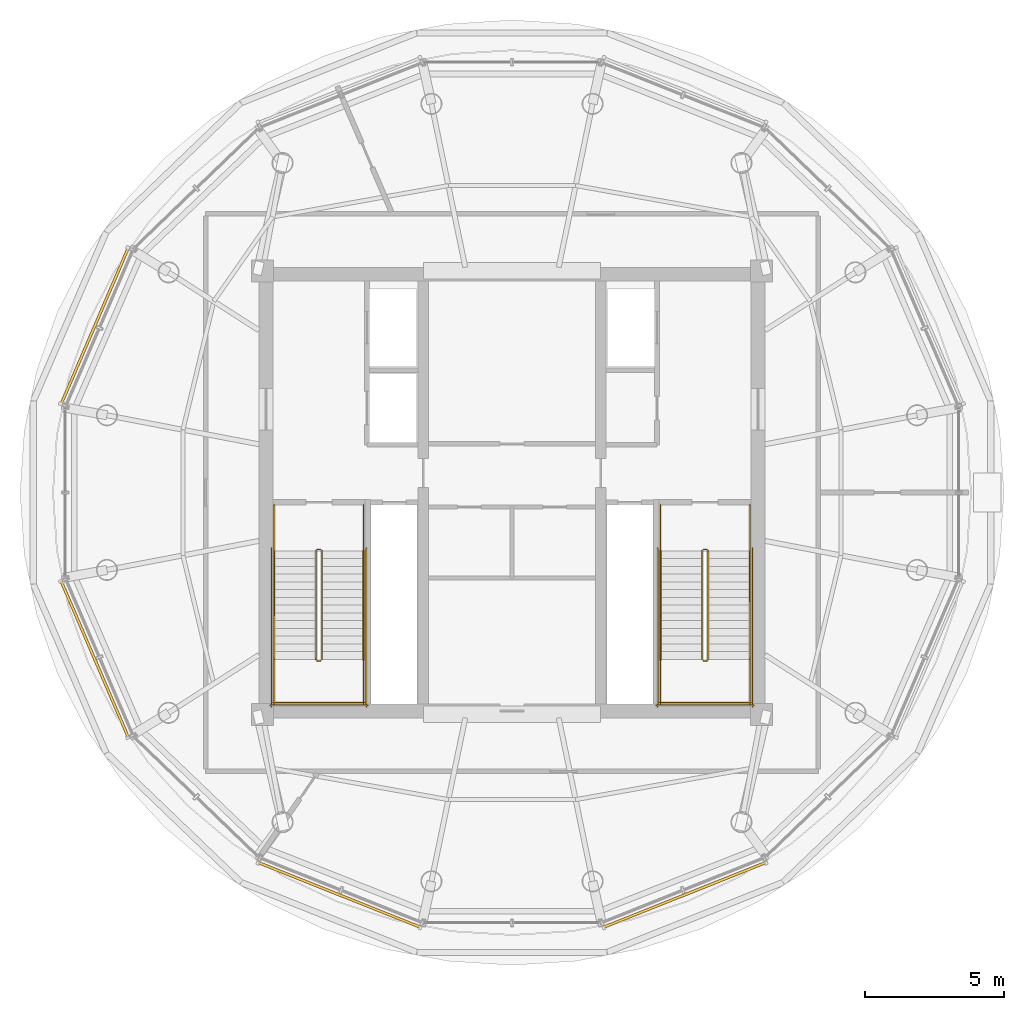
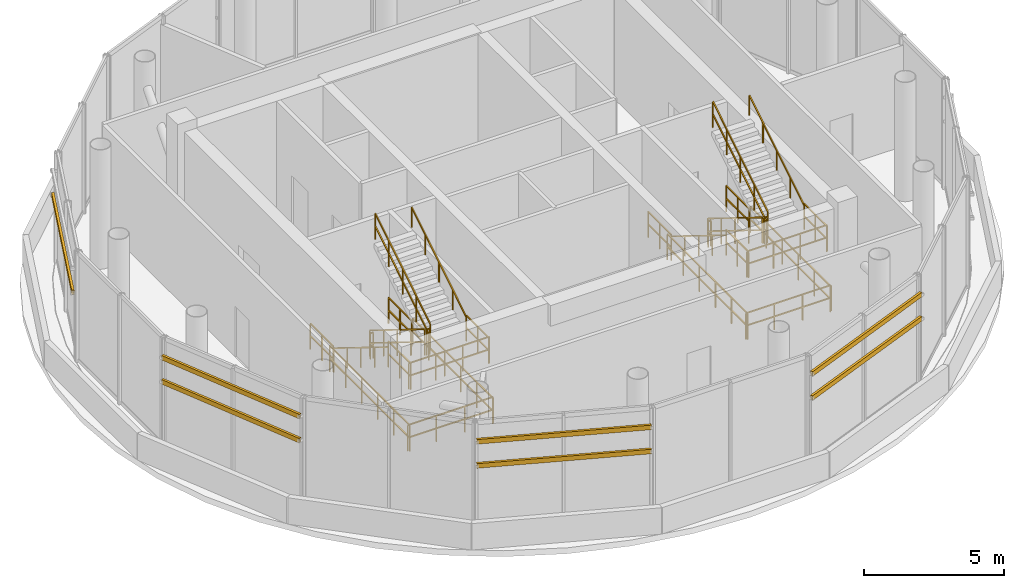
# One storey, part 13 of 14: 28 railings, 7 shading devices.
"""IFC4 building model written with IfcOpenShell, lengths in metres."""

from ifc_helpers import new_model, si_unit, direction, frame, origin, origin_2d, place, context, subcontext, project, spatial, rectangle, hollow_rectangle, extrude, source, transform, mapped, material, material_profile, profile_set, type_object, element, save


model = new_model("IFC4")

# Units and contexts
model_context = context("Model", 3, precision=1e-05, world=origin(), true_north=direction((-0.2419218956, 0.970295726276)))
body_context = subcontext(model_context, "Body", "Model", "MODEL_VIEW")
ifc_project = project(units=[si_unit("LENGTHUNIT", "METRE"), si_unit("AREAUNIT", "SQUARE_METRE"), si_unit("VOLUMEUNIT", "CUBIC_METRE"), si_unit("PLANEANGLEUNIT", "RADIAN"), si_unit("MASSUNIT", "GRAM", prefix="KILO")], contexts=[model_context])

# Site, building, storey
site_placement = place(None, origin())
site = spatial("IfcSite", under=ifc_project, at=site_placement, CompositionType="ELEMENT")
building_placement = place(site_placement, origin())
building = spatial("IfcBuilding", under=site, at=building_placement, Name="Cobrevalo Terracotta Tower", CompositionType="ELEMENT")
storey_placement = place(building_placement, frame((0.0, 0.0, 321.699951171875)))
storey = spatial("IfcBuildingStorey", under=building, at=storey_placement, Name="L83", CompositionType="ELEMENT", Elevation=321.699951171875)

# Railings
ifc_material_1 = material(Name="Brushed stainless steel", Category="steel")
railing_type_1 = type_object("IfcRailingType", Name="Stainless Steel Stair Handrail 900", PredefinedType="HANDRAIL", material=ifc_material_1)
railing_1_placement = place(storey_placement, frame((29.425048828125, 24.699951171875, 0.17333984375)))
element("IfcRailing", 1, at=railing_1_placement, inside=storey, type_object=railing_type_1, Name="L83 ST-1 stair handrail 1", PredefinedType="HANDRAIL", context=body_context, shape_type="SweptSolid", body=[
    extrude(rectangle(XDim=0.048095703125, YDim=0.048095703125, at=origin_2d()), frame((0.0, 0.0, 0.8759765625), z_axis=(0.0, -0.850251603719, 0.526376491091), x_axis=(1.0, 0.0, 0.0)), (0.0, 0.0, 1.0), 4.6103515625),
    extrude(rectangle(XDim=0.0419921875, YDim=0.0419921875, at=origin_2d()), origin(), (0.0, 0.0, 1.0), 0.851806640625),
    extrude(rectangle(XDim=0.0419921875, YDim=0.0419921875, at=origin_2d()), frame((0.0, -0.97998046875, 0.606689453125)), (0.0, 0.0, 1.0), 0.851806640625),
    extrude(rectangle(XDim=0.0419921875, YDim=0.0419921875, at=origin_2d()), frame((0.0, -1.9599609375, 1.21337890625)), (0.0, 0.0, 1.0), 0.851806640625),
    extrude(rectangle(XDim=0.0419921875, YDim=0.0419921875, at=origin_2d()), frame((0.0, -2.93994140625, 1.820068359375)), (0.0, 0.0, 1.0), 0.851806640625),
    extrude(rectangle(XDim=0.0419921875, YDim=0.0419921875, at=origin_2d()), frame((0.0, -3.919921875, 2.4267578125)), (0.0, 0.0, 1.0), 0.851806640625),
])
railing_2_placement = place(storey_placement, frame((32.64501953125, 20.780029296875, 2.7734375)))
element("IfcRailing", 2, at=railing_2_placement, inside=storey, type_object=railing_type_1, Name="L83 ST-1 stair handrail 2", PredefinedType="HANDRAIL", context=body_context, shape_type="SweptSolid", body=[
    extrude(rectangle(XDim=0.048095703125, YDim=0.048095703125, at=origin_2d()), frame((0.0, 0.0, 0.8759765625), z_axis=(0.0, 0.850275303828, 0.526338206574), x_axis=(-1.0, 0.0, 0.0)), (0.0, 0.0, 1.0), 4.610107421875),
    extrude(rectangle(XDim=0.0419921875, YDim=0.0419921875, at=origin_2d()), origin(), (0.0, 0.0, 1.0), 0.851806640625),
    extrude(rectangle(XDim=0.0419921875, YDim=0.0419921875, at=origin_2d()), frame((0.0, 0.97998046875, 0.606689453125)), (0.0, 0.0, 1.0), 0.851806640625),
    extrude(rectangle(XDim=0.0419921875, YDim=0.0419921875, at=origin_2d()), frame((0.0, 1.9599609375, 1.21337890625)), (0.0, 0.0, 1.0), 0.851806640625),
    extrude(rectangle(XDim=0.0419921875, YDim=0.0419921875, at=origin_2d()), frame((0.0, 2.93994140625, 1.81982421875)), (0.0, 0.0, 1.0), 0.851806640625),
    extrude(rectangle(XDim=0.0419921875, YDim=0.0419921875, at=origin_2d()), frame((0.0, 3.919921875, 2.426513671875)), (0.0, 0.0, 1.0), 0.851806640625),
])
railing_3_placement = place(storey_placement, frame((43.35498046875, 24.699951171875, 0.17333984375)))
element("IfcRailing", 3, at=railing_3_placement, inside=storey, type_object=railing_type_1, Name="L83 ST-2 stair handrail 1", PredefinedType="HANDRAIL", context=body_context, shape_type="SweptSolid", body=[
    extrude(rectangle(XDim=0.048095703125, YDim=0.048095703125, at=origin_2d()), frame((0.0, 0.0, 0.8759765625), z_axis=(0.0, -0.850251603719, 0.526376491091), x_axis=(1.0, 0.0, 0.0)), (0.0, 0.0, 1.0), 4.6103515625),
    extrude(rectangle(XDim=0.0419921875, YDim=0.0419921875, at=origin_2d()), origin(), (0.0, 0.0, 1.0), 0.851806640625),
    extrude(rectangle(XDim=0.0419921875, YDim=0.0419921875, at=origin_2d()), frame((0.0, -0.97998046875, 0.606689453125)), (0.0, 0.0, 1.0), 0.851806640625),
    extrude(rectangle(XDim=0.0419921875, YDim=0.0419921875, at=origin_2d()), frame((0.0, -1.9599609375, 1.21337890625)), (0.0, 0.0, 1.0), 0.851806640625),
    extrude(rectangle(XDim=0.0419921875, YDim=0.0419921875, at=origin_2d()), frame((0.0, -2.93994140625, 1.820068359375)), (0.0, 0.0, 1.0), 0.851806640625),
    extrude(rectangle(XDim=0.0419921875, YDim=0.0419921875, at=origin_2d()), frame((0.0, -3.919921875, 2.4267578125)), (0.0, 0.0, 1.0), 0.851806640625),
])
railing_4_placement = place(storey_placement, frame((46.574951171875, 20.780029296875, 2.7734375)))
element("IfcRailing", 4, at=railing_4_placement, inside=storey, type_object=railing_type_1, Name="L83 ST-2 stair handrail 2", PredefinedType="HANDRAIL", context=body_context, shape_type="SweptSolid", body=[
    extrude(rectangle(XDim=0.048095703125, YDim=0.048095703125, at=origin_2d()), frame((0.0, 0.0, 0.8759765625), z_axis=(0.0, 0.850275303828, 0.526338206574), x_axis=(-1.0, 0.0, 0.0)), (0.0, 0.0, 1.0), 4.610107421875),
    extrude(rectangle(XDim=0.0419921875, YDim=0.0419921875, at=origin_2d()), origin(), (0.0, 0.0, 1.0), 0.851806640625),
    extrude(rectangle(XDim=0.0419921875, YDim=0.0419921875, at=origin_2d()), frame((0.0, 0.97998046875, 0.606689453125)), (0.0, 0.0, 1.0), 0.851806640625),
    extrude(rectangle(XDim=0.0419921875, YDim=0.0419921875, at=origin_2d()), frame((0.0, 1.9599609375, 1.21337890625)), (0.0, 0.0, 1.0), 0.851806640625),
    extrude(rectangle(XDim=0.0419921875, YDim=0.0419921875, at=origin_2d()), frame((0.0, 2.93994140625, 1.81982421875)), (0.0, 0.0, 1.0), 0.851806640625),
    extrude(rectangle(XDim=0.0419921875, YDim=0.0419921875, at=origin_2d()), frame((0.0, 3.919921875, 2.426513671875)), (0.0, 0.0, 1.0), 0.851806640625),
])
ifc_material_2 = material(Name="Painted galvanized steel", Category="steel")
railing_type_2 = type_object("IfcRailingType", Name="Stair Well Guard Balustrade 1150", PredefinedType="GUARDRAIL", material=ifc_material_2)
railing_5_placement = place(storey_placement, frame((30.925048828125, 24.699951171875, 0.17333984375)))
element("IfcRailing", 5, at=railing_5_placement, inside=storey, type_object=railing_type_2, Name="L83 ST-1 stair guard 1", PredefinedType="GUARDRAIL", context=body_context, shape_type="SweptSolid", body=[
    extrude(rectangle(XDim=0.048095703125, YDim=0.048095703125, at=origin_2d()), frame((0.0, 0.0, 1.1259765625), z_axis=(0.0, -0.850251603719, 0.526376491091), x_axis=(1.0, 0.0, 0.0)), (0.0, 0.0, 1.0), 4.6103515625),
    extrude(rectangle(XDim=0.048095703125, YDim=0.048095703125, at=origin_2d()), frame((0.0, 0.0, 0.574951171875), z_axis=(0.0, -0.850251603719, 0.526376491091), x_axis=(1.0, 0.0, 0.0)), (0.0, 0.0, 1.0), 4.6103515625),
    extrude(rectangle(XDim=0.0419921875, YDim=0.0419921875, at=origin_2d()), origin(), (0.0, 0.0, 1.0), 1.101806640625),
    extrude(rectangle(XDim=0.0419921875, YDim=0.0419921875, at=origin_2d()), frame((0.0, -0.97998046875, 0.606689453125)), (0.0, 0.0, 1.0), 1.101806640625),
    extrude(rectangle(XDim=0.0419921875, YDim=0.0419921875, at=origin_2d()), frame((0.0, -1.9599609375, 1.21337890625)), (0.0, 0.0, 1.0), 1.101806640625),
    extrude(rectangle(XDim=0.0419921875, YDim=0.0419921875, at=origin_2d()), frame((0.0, -2.93994140625, 1.820068359375)), (0.0, 0.0, 1.0), 1.101806640625),
    extrude(rectangle(XDim=0.0419921875, YDim=0.0419921875, at=origin_2d()), frame((0.0, -3.919921875, 2.4267578125)), (0.0, 0.0, 1.0), 1.101806640625),
])
railing_6_placement = place(storey_placement, frame((30.97509765625, 20.72998046875, 2.60009765625)))
element("IfcRailing", 6, at=railing_6_placement, inside=storey, type_object=railing_type_2, Name="L83 ST-1 stair guard 2", PredefinedType="GUARDRAIL", context=body_context, shape_type="SweptSolid", body=[
    extrude(rectangle(XDim=0.048095703125, YDim=0.048095703125, at=origin_2d()), frame((0.0, 0.0, 1.1259765625), z_axis=(1.0, 0.0, 0.0), x_axis=(0.0, 1.0, 0.0)), (0.0, 0.0, 1.0), 0.119873046875),
    extrude(rectangle(XDim=0.048095703125, YDim=0.048095703125, at=origin_2d()), frame((0.0, 0.0, 0.574951171875), z_axis=(1.0, 0.0, 0.0), x_axis=(0.0, 1.0, 0.0)), (0.0, 0.0, 1.0), 0.119873046875),
    extrude(rectangle(XDim=0.0419921875, YDim=0.0419921875, at=origin_2d()), origin(), (0.0, 0.0, 1.0), 1.101806640625),
    extrude(rectangle(XDim=0.0419921875, YDim=0.0419921875, at=origin_2d()), frame((0.119873046875, 0.0, 0.0)), (0.0, 0.0, 1.0), 1.101806640625),
])
for number, where, name in (
    (7, (29.425048828125, 20.780029296875, 2.60009765625), "L83 ST-1 stair guard 3"),
    (8, (32.64501953125, 20.780029296875, 2.60009765625), "L83 ST-1 stair guard 4"),
):
    element("IfcRailing", number, at=place(storey_placement, frame(where)), inside=storey, type_object=railing_type_2, Name=name, PredefinedType="GUARDRAIL", context=body_context, shape_type="SweptSolid", body=[
        extrude(rectangle(XDim=0.048095703125, YDim=0.048095703125, at=origin_2d()), frame((0.0, 0.0, 1.1259765625), z_axis=(0.0, -1.0, 0.0), x_axis=(1.0, 0.0, 0.0)), (0.0, 0.0, 1.0), 1.60498046875),
        extrude(rectangle(XDim=0.048095703125, YDim=0.048095703125, at=origin_2d()), frame((0.0, 0.0, 0.574951171875), z_axis=(0.0, -1.0, 0.0), x_axis=(1.0, 0.0, 0.0)), (0.0, 0.0, 1.0), 1.60498046875),
        extrude(rectangle(XDim=0.0419921875, YDim=0.0419921875, at=origin_2d()), origin(), (0.0, 0.0, 1.0), 1.101806640625),
        extrude(rectangle(XDim=0.0419921875, YDim=0.0419921875, at=origin_2d()), frame((0.0, -0.802490234375, 0.0)), (0.0, 0.0, 1.0), 1.101806640625),
        extrude(rectangle(XDim=0.0419921875, YDim=0.0419921875, at=origin_2d()), frame((0.0, -1.60498046875, 0.0)), (0.0, 0.0, 1.0), 1.101806640625),
    ])
railing_7_placement = place(storey_placement, frame((29.375, 19.22509765625, 2.60009765625)))
element("IfcRailing", 9, at=railing_7_placement, inside=storey, type_object=railing_type_2, Name="L83 ST-1 stair guard 5", PredefinedType="GUARDRAIL", context=body_context, shape_type="SweptSolid", body=[
    extrude(rectangle(XDim=0.048095703125, YDim=0.048095703125, at=origin_2d()), frame((0.0, 0.0, 1.1259765625), z_axis=(1.0, 0.0, 0.0), x_axis=(0.0, 1.0, 0.0)), (0.0, 0.0, 1.0), 3.320068359375),
    extrude(rectangle(XDim=0.048095703125, YDim=0.048095703125, at=origin_2d()), frame((0.0, 0.0, 0.574951171875), z_axis=(1.0, 0.0, 0.0), x_axis=(0.0, 1.0, 0.0)), (0.0, 0.0, 1.0), 3.320068359375),
    extrude(rectangle(XDim=0.0419921875, YDim=0.0419921875, at=origin_2d()), origin(), (0.0, 0.0, 1.0), 1.101806640625),
    extrude(rectangle(XDim=0.0419921875, YDim=0.0419921875, at=origin_2d()), frame((1.106689453125, 0.0, 0.0)), (0.0, 0.0, 1.0), 1.101806640625),
    extrude(rectangle(XDim=0.0419921875, YDim=0.0419921875, at=origin_2d()), frame((2.21337890625, 0.0, 0.0)), (0.0, 0.0, 1.0), 1.101806640625),
    extrude(rectangle(XDim=0.0419921875, YDim=0.0419921875, at=origin_2d()), frame((3.320068359375, 0.0, 0.0)), (0.0, 0.0, 1.0), 1.101806640625),
])
railing_8_placement = place(storey_placement, frame((31.14501953125, 20.780029296875, 2.7734375)))
element("IfcRailing", 10, at=railing_8_placement, inside=storey, type_object=railing_type_2, Name="L83 ST-1 stair guard 6", PredefinedType="GUARDRAIL", context=body_context, shape_type="SweptSolid", body=[
    extrude(rectangle(XDim=0.048095703125, YDim=0.048095703125, at=origin_2d()), frame((0.0, 0.0, 1.1259765625), z_axis=(0.0, 0.850275303828, 0.526338206574), x_axis=(-1.0, 0.0, 0.0)), (0.0, 0.0, 1.0), 4.610107421875),
    extrude(rectangle(XDim=0.048095703125, YDim=0.048095703125, at=origin_2d()), frame((0.0, 0.0, 0.574951171875), z_axis=(0.0, 0.850275303828, 0.526338206574), x_axis=(-1.0, 0.0, 0.0)), (0.0, 0.0, 1.0), 4.610107421875),
    extrude(rectangle(XDim=0.0419921875, YDim=0.0419921875, at=origin_2d()), origin(), (0.0, 0.0, 1.0), 1.101806640625),
    extrude(rectangle(XDim=0.0419921875, YDim=0.0419921875, at=origin_2d()), frame((0.0, 0.97998046875, 0.606689453125)), (0.0, 0.0, 1.0), 1.101806640625),
    extrude(rectangle(XDim=0.0419921875, YDim=0.0419921875, at=origin_2d()), frame((0.0, 1.9599609375, 1.21337890625)), (0.0, 0.0, 1.0), 1.101806640625),
    extrude(rectangle(XDim=0.0419921875, YDim=0.0419921875, at=origin_2d()), frame((0.0, 2.93994140625, 1.81982421875)), (0.0, 0.0, 1.0), 1.101806640625),
    extrude(rectangle(XDim=0.0419921875, YDim=0.0419921875, at=origin_2d()), frame((0.0, 3.919921875, 2.426513671875)), (0.0, 0.0, 1.0), 1.101806640625),
])
railing_9_placement = place(storey_placement, frame((30.97509765625, 24.75, 0.0)))
element("IfcRailing", 11, at=railing_9_placement, inside=storey, type_object=railing_type_2, Name="L83 ST-1 stair guard 7", PredefinedType="GUARDRAIL", context=body_context, shape_type="SweptSolid", body=[
    extrude(rectangle(XDim=0.048095703125, YDim=0.048095703125, at=origin_2d()), frame((0.0, 0.0, 1.1259765625), z_axis=(1.0, 0.0, 0.0), x_axis=(0.0, 1.0, 0.0)), (0.0, 0.0, 1.0), 0.119873046875),
    extrude(rectangle(XDim=0.048095703125, YDim=0.048095703125, at=origin_2d()), frame((0.0, 0.0, 0.574951171875), z_axis=(1.0, 0.0, 0.0), x_axis=(0.0, 1.0, 0.0)), (0.0, 0.0, 1.0), 0.119873046875),
    extrude(rectangle(XDim=0.0419921875, YDim=0.0419921875, at=origin_2d()), origin(), (0.0, 0.0, 1.0), 1.101806640625),
    extrude(rectangle(XDim=0.0419921875, YDim=0.0419921875, at=origin_2d()), frame((0.119873046875, 0.0, 0.0)), (0.0, 0.0, 1.0), 1.101806640625),
])
for number, where, name in (
    (12, (29.425048828125, 26.35009765625, 0.0), "L83 ST-1 stair guard 8"),
    (13, (32.64501953125, 26.35009765625, 0.0), "L83 ST-1 stair guard 9"),
):
    element("IfcRailing", number, at=place(storey_placement, frame(where)), inside=storey, type_object=railing_type_2, Name=name, PredefinedType="GUARDRAIL", context=body_context, shape_type="SweptSolid", body=[
        extrude(rectangle(XDim=0.048095703125, YDim=0.048095703125, at=origin_2d()), frame((0.0, 0.0, 1.1259765625), z_axis=(0.0, -1.0, 0.0), x_axis=(1.0, 0.0, 0.0)), (0.0, 0.0, 1.0), 1.650146484375),
        extrude(rectangle(XDim=0.048095703125, YDim=0.048095703125, at=origin_2d()), frame((0.0, 0.0, 0.574951171875), z_axis=(0.0, -1.0, 0.0), x_axis=(1.0, 0.0, 0.0)), (0.0, 0.0, 1.0), 1.650146484375),
        extrude(rectangle(XDim=0.0419921875, YDim=0.0419921875, at=origin_2d()), origin(), (0.0, 0.0, 1.0), 1.101806640625),
        extrude(rectangle(XDim=0.0419921875, YDim=0.0419921875, at=origin_2d()), frame((0.0, -0.8251953125, 0.0)), (0.0, 0.0, 1.0), 1.101806640625),
        extrude(rectangle(XDim=0.0419921875, YDim=0.0419921875, at=origin_2d()), frame((0.0, -1.650146484375, 0.0)), (0.0, 0.0, 1.0), 1.101806640625),
    ])
for number, where, name in (
    (14, (29.324951171875, 24.800048828125, 0.0), "L83 ST-1 stair guard 10"),
    (15, (32.7451171875, 24.800048828125, 0.0), "L83 ST-1 stair guard 11"),
):
    element("IfcRailing", number, at=place(storey_placement, frame(where)), inside=storey, type_object=railing_type_2, Name=name, PredefinedType="GUARDRAIL", context=body_context, shape_type="SweptSolid", body=[
        extrude(rectangle(XDim=0.048095703125, YDim=0.048095703125, at=origin_2d()), frame((0.0, 0.0, 1.1259765625), z_axis=(0.0, -1.0, 0.0), x_axis=(1.0, 0.0, 0.0)), (0.0, 0.0, 1.0), 5.72509765625),
        extrude(rectangle(XDim=0.048095703125, YDim=0.048095703125, at=origin_2d()), frame((0.0, 0.0, 0.574951171875), z_axis=(0.0, -1.0, 0.0), x_axis=(1.0, 0.0, 0.0)), (0.0, 0.0, 1.0), 5.72509765625),
        extrude(rectangle(XDim=0.0419921875, YDim=0.0419921875, at=origin_2d()), origin(), (0.0, 0.0, 1.0), 1.101806640625),
        extrude(rectangle(XDim=0.0419921875, YDim=0.0419921875, at=origin_2d()), frame((0.0, -1.14501953125, 0.0)), (0.0, 0.0, 1.0), 1.101806640625),
        extrude(rectangle(XDim=0.0419921875, YDim=0.0419921875, at=origin_2d()), frame((0.0, -2.2900390625, 0.0)), (0.0, 0.0, 1.0), 1.101806640625),
        extrude(rectangle(XDim=0.0419921875, YDim=0.0419921875, at=origin_2d()), frame((0.0, -3.43505859375, 0.0)), (0.0, 0.0, 1.0), 1.101806640625),
        extrude(rectangle(XDim=0.0419921875, YDim=0.0419921875, at=origin_2d()), frame((0.0, -4.580078125, 0.0)), (0.0, 0.0, 1.0), 1.101806640625),
        extrude(rectangle(XDim=0.0419921875, YDim=0.0419921875, at=origin_2d()), frame((0.0, -5.72509765625, 0.0)), (0.0, 0.0, 1.0), 1.101806640625),
    ])
railing_10_placement = place(storey_placement, frame((29.27490234375, 19.125, 0.0)))
element("IfcRailing", 16, at=railing_10_placement, inside=storey, type_object=railing_type_2, Name="L83 ST-1 stair guard 12", PredefinedType="GUARDRAIL", context=body_context, shape_type="SweptSolid", body=[
    extrude(rectangle(XDim=0.048095703125, YDim=0.048095703125, at=origin_2d()), frame((0.0, 0.0, 1.1259765625), z_axis=(1.0, 0.0, 0.0), x_axis=(0.0, 1.0, 0.0)), (0.0, 0.0, 1.0), 3.52001953125),
    extrude(rectangle(XDim=0.048095703125, YDim=0.048095703125, at=origin_2d()), frame((0.0, 0.0, 0.574951171875), z_axis=(1.0, 0.0, 0.0), x_axis=(0.0, 1.0, 0.0)), (0.0, 0.0, 1.0), 3.52001953125),
    extrude(rectangle(XDim=0.0419921875, YDim=0.0419921875, at=origin_2d()), origin(), (0.0, 0.0, 1.0), 1.101806640625),
    extrude(rectangle(XDim=0.0419921875, YDim=0.0419921875, at=origin_2d()), frame((1.17333984375, 0.0, 0.0)), (0.0, 0.0, 1.0), 1.101806640625),
    extrude(rectangle(XDim=0.0419921875, YDim=0.0419921875, at=origin_2d()), frame((2.3466796875, 0.0, 0.0)), (0.0, 0.0, 1.0), 1.101806640625),
    extrude(rectangle(XDim=0.0419921875, YDim=0.0419921875, at=origin_2d()), frame((3.52001953125, 0.0, 0.0)), (0.0, 0.0, 1.0), 1.101806640625),
])
railing_11_placement = place(storey_placement, frame((44.85498046875, 24.699951171875, 0.17333984375)))
element("IfcRailing", 17, at=railing_11_placement, inside=storey, type_object=railing_type_2, Name="L83 ST-2 stair guard 1", PredefinedType="GUARDRAIL", context=body_context, shape_type="SweptSolid", body=[
    extrude(rectangle(XDim=0.048095703125, YDim=0.048095703125, at=origin_2d()), frame((0.0, 0.0, 1.1259765625), z_axis=(0.0, -0.850251603719, 0.526376491091), x_axis=(1.0, 0.0, 0.0)), (0.0, 0.0, 1.0), 4.6103515625),
    extrude(rectangle(XDim=0.048095703125, YDim=0.048095703125, at=origin_2d()), frame((0.0, 0.0, 0.574951171875), z_axis=(0.0, -0.850251603719, 0.526376491091), x_axis=(1.0, 0.0, 0.0)), (0.0, 0.0, 1.0), 4.6103515625),
    extrude(rectangle(XDim=0.0419921875, YDim=0.0419921875, at=origin_2d()), origin(), (0.0, 0.0, 1.0), 1.101806640625),
    extrude(rectangle(XDim=0.0419921875, YDim=0.0419921875, at=origin_2d()), frame((0.0, -0.97998046875, 0.606689453125)), (0.0, 0.0, 1.0), 1.101806640625),
    extrude(rectangle(XDim=0.0419921875, YDim=0.0419921875, at=origin_2d()), frame((0.0, -1.9599609375, 1.21337890625)), (0.0, 0.0, 1.0), 1.101806640625),
    extrude(rectangle(XDim=0.0419921875, YDim=0.0419921875, at=origin_2d()), frame((0.0, -2.93994140625, 1.820068359375)), (0.0, 0.0, 1.0), 1.101806640625),
    extrude(rectangle(XDim=0.0419921875, YDim=0.0419921875, at=origin_2d()), frame((0.0, -3.919921875, 2.4267578125)), (0.0, 0.0, 1.0), 1.101806640625),
])
railing_12_placement = place(storey_placement, frame((44.905029296875, 20.72998046875, 2.60009765625)))
element("IfcRailing", 18, at=railing_12_placement, inside=storey, type_object=railing_type_2, Name="L83 ST-2 stair guard 2", PredefinedType="GUARDRAIL", context=body_context, shape_type="SweptSolid", body=[
    extrude(rectangle(XDim=0.048095703125, YDim=0.048095703125, at=origin_2d()), frame((0.0, 0.0, 1.1259765625), z_axis=(1.0, 0.0, 0.0), x_axis=(0.0, 1.0, 0.0)), (0.0, 0.0, 1.0), 0.119873046875),
    extrude(rectangle(XDim=0.048095703125, YDim=0.048095703125, at=origin_2d()), frame((0.0, 0.0, 0.574951171875), z_axis=(1.0, 0.0, 0.0), x_axis=(0.0, 1.0, 0.0)), (0.0, 0.0, 1.0), 0.119873046875),
    extrude(rectangle(XDim=0.0419921875, YDim=0.0419921875, at=origin_2d()), origin(), (0.0, 0.0, 1.0), 1.101806640625),
    extrude(rectangle(XDim=0.0419921875, YDim=0.0419921875, at=origin_2d()), frame((0.119873046875, 0.0, 0.0)), (0.0, 0.0, 1.0), 1.101806640625),
])
for number, where, name in (
    (19, (43.35498046875, 20.780029296875, 2.60009765625), "L83 ST-2 stair guard 3"),
    (20, (46.574951171875, 20.780029296875, 2.60009765625), "L83 ST-2 stair guard 4"),
):
    element("IfcRailing", number, at=place(storey_placement, frame(where)), inside=storey, type_object=railing_type_2, Name=name, PredefinedType="GUARDRAIL", context=body_context, shape_type="SweptSolid", body=[
        extrude(rectangle(XDim=0.048095703125, YDim=0.048095703125, at=origin_2d()), frame((0.0, 0.0, 1.1259765625), z_axis=(0.0, -1.0, 0.0), x_axis=(1.0, 0.0, 0.0)), (0.0, 0.0, 1.0), 1.60498046875),
        extrude(rectangle(XDim=0.048095703125, YDim=0.048095703125, at=origin_2d()), frame((0.0, 0.0, 0.574951171875), z_axis=(0.0, -1.0, 0.0), x_axis=(1.0, 0.0, 0.0)), (0.0, 0.0, 1.0), 1.60498046875),
        extrude(rectangle(XDim=0.0419921875, YDim=0.0419921875, at=origin_2d()), origin(), (0.0, 0.0, 1.0), 1.101806640625),
        extrude(rectangle(XDim=0.0419921875, YDim=0.0419921875, at=origin_2d()), frame((0.0, -0.802490234375, 0.0)), (0.0, 0.0, 1.0), 1.101806640625),
        extrude(rectangle(XDim=0.0419921875, YDim=0.0419921875, at=origin_2d()), frame((0.0, -1.60498046875, 0.0)), (0.0, 0.0, 1.0), 1.101806640625),
    ])
railing_13_placement = place(storey_placement, frame((43.304931640625, 19.22509765625, 2.60009765625)))
element("IfcRailing", 21, at=railing_13_placement, inside=storey, type_object=railing_type_2, Name="L83 ST-2 stair guard 5", PredefinedType="GUARDRAIL", context=body_context, shape_type="SweptSolid", body=[
    extrude(rectangle(XDim=0.048095703125, YDim=0.048095703125, at=origin_2d()), frame((0.0, 0.0, 1.1259765625), z_axis=(1.0, 0.0, 0.0), x_axis=(0.0, 1.0, 0.0)), (0.0, 0.0, 1.0), 3.320068359375),
    extrude(rectangle(XDim=0.048095703125, YDim=0.048095703125, at=origin_2d()), frame((0.0, 0.0, 0.574951171875), z_axis=(1.0, 0.0, 0.0), x_axis=(0.0, 1.0, 0.0)), (0.0, 0.0, 1.0), 3.320068359375),
    extrude(rectangle(XDim=0.0419921875, YDim=0.0419921875, at=origin_2d()), origin(), (0.0, 0.0, 1.0), 1.101806640625),
    extrude(rectangle(XDim=0.0419921875, YDim=0.0419921875, at=origin_2d()), frame((1.106689453125, 0.0, 0.0)), (0.0, 0.0, 1.0), 1.101806640625),
    extrude(rectangle(XDim=0.0419921875, YDim=0.0419921875, at=origin_2d()), frame((2.21337890625, 0.0, 0.0)), (0.0, 0.0, 1.0), 1.101806640625),
    extrude(rectangle(XDim=0.0419921875, YDim=0.0419921875, at=origin_2d()), frame((3.320068359375, 0.0, 0.0)), (0.0, 0.0, 1.0), 1.101806640625),
])
railing_14_placement = place(storey_placement, frame((45.074951171875, 20.780029296875, 2.7734375)))
element("IfcRailing", 22, at=railing_14_placement, inside=storey, type_object=railing_type_2, Name="L83 ST-2 stair guard 6", PredefinedType="GUARDRAIL", context=body_context, shape_type="SweptSolid", body=[
    extrude(rectangle(XDim=0.048095703125, YDim=0.048095703125, at=origin_2d()), frame((0.0, 0.0, 1.1259765625), z_axis=(0.0, 0.850275303828, 0.526338206574), x_axis=(-1.0, 0.0, 0.0)), (0.0, 0.0, 1.0), 4.610107421875),
    extrude(rectangle(XDim=0.048095703125, YDim=0.048095703125, at=origin_2d()), frame((0.0, 0.0, 0.574951171875), z_axis=(0.0, 0.850275303828, 0.526338206574), x_axis=(-1.0, 0.0, 0.0)), (0.0, 0.0, 1.0), 4.610107421875),
    extrude(rectangle(XDim=0.0419921875, YDim=0.0419921875, at=origin_2d()), origin(), (0.0, 0.0, 1.0), 1.101806640625),
    extrude(rectangle(XDim=0.0419921875, YDim=0.0419921875, at=origin_2d()), frame((0.0, 0.97998046875, 0.606689453125)), (0.0, 0.0, 1.0), 1.101806640625),
    extrude(rectangle(XDim=0.0419921875, YDim=0.0419921875, at=origin_2d()), frame((0.0, 1.9599609375, 1.21337890625)), (0.0, 0.0, 1.0), 1.101806640625),
    extrude(rectangle(XDim=0.0419921875, YDim=0.0419921875, at=origin_2d()), frame((0.0, 2.93994140625, 1.81982421875)), (0.0, 0.0, 1.0), 1.101806640625),
    extrude(rectangle(XDim=0.0419921875, YDim=0.0419921875, at=origin_2d()), frame((0.0, 3.919921875, 2.426513671875)), (0.0, 0.0, 1.0), 1.101806640625),
])
railing_15_placement = place(storey_placement, frame((44.905029296875, 24.75, 0.0)))
element("IfcRailing", 23, at=railing_15_placement, inside=storey, type_object=railing_type_2, Name="L83 ST-2 stair guard 7", PredefinedType="GUARDRAIL", context=body_context, shape_type="SweptSolid", body=[
    extrude(rectangle(XDim=0.048095703125, YDim=0.048095703125, at=origin_2d()), frame((0.0, 0.0, 1.1259765625), z_axis=(1.0, 0.0, 0.0), x_axis=(0.0, 1.0, 0.0)), (0.0, 0.0, 1.0), 0.119873046875),
    extrude(rectangle(XDim=0.048095703125, YDim=0.048095703125, at=origin_2d()), frame((0.0, 0.0, 0.574951171875), z_axis=(1.0, 0.0, 0.0), x_axis=(0.0, 1.0, 0.0)), (0.0, 0.0, 1.0), 0.119873046875),
    extrude(rectangle(XDim=0.0419921875, YDim=0.0419921875, at=origin_2d()), origin(), (0.0, 0.0, 1.0), 1.101806640625),
    extrude(rectangle(XDim=0.0419921875, YDim=0.0419921875, at=origin_2d()), frame((0.119873046875, 0.0, 0.0)), (0.0, 0.0, 1.0), 1.101806640625),
])
for number, where, name in (
    (24, (43.35498046875, 26.35009765625, 0.0), "L83 ST-2 stair guard 8"),
    (25, (46.574951171875, 26.35009765625, 0.0), "L83 ST-2 stair guard 9"),
):
    element("IfcRailing", number, at=place(storey_placement, frame(where)), inside=storey, type_object=railing_type_2, Name=name, PredefinedType="GUARDRAIL", context=body_context, shape_type="SweptSolid", body=[
        extrude(rectangle(XDim=0.048095703125, YDim=0.048095703125, at=origin_2d()), frame((0.0, 0.0, 1.1259765625), z_axis=(0.0, -1.0, 0.0), x_axis=(1.0, 0.0, 0.0)), (0.0, 0.0, 1.0), 1.650146484375),
        extrude(rectangle(XDim=0.048095703125, YDim=0.048095703125, at=origin_2d()), frame((0.0, 0.0, 0.574951171875), z_axis=(0.0, -1.0, 0.0), x_axis=(1.0, 0.0, 0.0)), (0.0, 0.0, 1.0), 1.650146484375),
        extrude(rectangle(XDim=0.0419921875, YDim=0.0419921875, at=origin_2d()), origin(), (0.0, 0.0, 1.0), 1.101806640625),
        extrude(rectangle(XDim=0.0419921875, YDim=0.0419921875, at=origin_2d()), frame((0.0, -0.8251953125, 0.0)), (0.0, 0.0, 1.0), 1.101806640625),
        extrude(rectangle(XDim=0.0419921875, YDim=0.0419921875, at=origin_2d()), frame((0.0, -1.650146484375, 0.0)), (0.0, 0.0, 1.0), 1.101806640625),
    ])
for number, where, name in (
    (26, (43.2548828125, 24.800048828125, 0.0), "L83 ST-2 stair guard 10"),
    (27, (46.675048828125, 24.800048828125, 0.0), "L83 ST-2 stair guard 11"),
):
    element("IfcRailing", number, at=place(storey_placement, frame(where)), inside=storey, type_object=railing_type_2, Name=name, PredefinedType="GUARDRAIL", context=body_context, shape_type="SweptSolid", body=[
        extrude(rectangle(XDim=0.048095703125, YDim=0.048095703125, at=origin_2d()), frame((0.0, 0.0, 1.1259765625), z_axis=(0.0, -1.0, 0.0), x_axis=(1.0, 0.0, 0.0)), (0.0, 0.0, 1.0), 5.72509765625),
        extrude(rectangle(XDim=0.048095703125, YDim=0.048095703125, at=origin_2d()), frame((0.0, 0.0, 0.574951171875), z_axis=(0.0, -1.0, 0.0), x_axis=(1.0, 0.0, 0.0)), (0.0, 0.0, 1.0), 5.72509765625),
        extrude(rectangle(XDim=0.0419921875, YDim=0.0419921875, at=origin_2d()), origin(), (0.0, 0.0, 1.0), 1.101806640625),
        extrude(rectangle(XDim=0.0419921875, YDim=0.0419921875, at=origin_2d()), frame((0.0, -1.14501953125, 0.0)), (0.0, 0.0, 1.0), 1.101806640625),
        extrude(rectangle(XDim=0.0419921875, YDim=0.0419921875, at=origin_2d()), frame((0.0, -2.2900390625, 0.0)), (0.0, 0.0, 1.0), 1.101806640625),
        extrude(rectangle(XDim=0.0419921875, YDim=0.0419921875, at=origin_2d()), frame((0.0, -3.43505859375, 0.0)), (0.0, 0.0, 1.0), 1.101806640625),
        extrude(rectangle(XDim=0.0419921875, YDim=0.0419921875, at=origin_2d()), frame((0.0, -4.580078125, 0.0)), (0.0, 0.0, 1.0), 1.101806640625),
        extrude(rectangle(XDim=0.0419921875, YDim=0.0419921875, at=origin_2d()), frame((0.0, -5.72509765625, 0.0)), (0.0, 0.0, 1.0), 1.101806640625),
    ])
railing_16_placement = place(storey_placement, frame((43.205078125, 19.125, 0.0)))
element("IfcRailing", 28, at=railing_16_placement, inside=storey, type_object=railing_type_2, Name="L83 ST-2 stair guard 12", PredefinedType="GUARDRAIL", context=body_context, shape_type="SweptSolid", body=[
    extrude(rectangle(XDim=0.048095703125, YDim=0.048095703125, at=origin_2d()), frame((0.0, 0.0, 1.1259765625), z_axis=(1.0, 0.0, 0.0), x_axis=(0.0, 1.0, 0.0)), (0.0, 0.0, 1.0), 3.52001953125),
    extrude(rectangle(XDim=0.048095703125, YDim=0.048095703125, at=origin_2d()), frame((0.0, 0.0, 0.574951171875), z_axis=(1.0, 0.0, 0.0), x_axis=(0.0, 1.0, 0.0)), (0.0, 0.0, 1.0), 3.52001953125),
    extrude(rectangle(XDim=0.0419921875, YDim=0.0419921875, at=origin_2d()), origin(), (0.0, 0.0, 1.0), 1.101806640625),
    extrude(rectangle(XDim=0.0419921875, YDim=0.0419921875, at=origin_2d()), frame((1.17333984375, 0.0, 0.0)), (0.0, 0.0, 1.0), 1.101806640625),
    extrude(rectangle(XDim=0.0419921875, YDim=0.0419921875, at=origin_2d()), frame((2.3466796875, 0.0, 0.0)), (0.0, 0.0, 1.0), 1.101806640625),
    extrude(rectangle(XDim=0.0419921875, YDim=0.0419921875, at=origin_2d()), frame((3.52001953125, 0.0, 0.0)), (0.0, 0.0, 1.0), 1.101806640625),
])

# Shading devices
ifc_material_3 = material(Name="Extruded fired architectural terracotta", Category="masonry")
ifc_material_profile = material_profile(ifc_material_3, hollow_rectangle(XDim=0.094970703125, YDim=0.199951171875, WallThickness=0.01611328125, at=origin_2d()), Name="BAGUETTE 95x200")
ifc_profile_set = profile_set([ifc_material_profile], Name="Extruded fired architectural terracotta")
shading_device_type = type_object("IfcShadingDeviceType", Name="Upper-Zone Terracotta Baguette Screen 95x200", PredefinedType="USERDEFINED", material=ifc_profile_set)
shared_shape_1 = source(origin(), body_context, "Body", "SweptSolid", [
    extrude(hollow_rectangle(XDim=0.094970703125, YDim=0.199951171875, WallThickness=0.01611328125, at=origin_2d()), origin(), (0.0, 0.0, 1.0), 6.13134765625),
])
for number, where, z_axis, x_axis, name in (
    (29, (24.15771484375, 35.62890625, 2.963623046875), (-0.394961883587, -0.918697507623, 0.0), (0.918697507623, -0.394961883587, 0.0), "CW-CRN-L83-S07 horizontal terracotta baguette 1"),
    (30, (21.736083984375, 23.603759765625, 2.963623046875), (0.394961883587, -0.918697507623, 0.0), (0.918697507623, 0.394961883587, 0.0), "CW-CRN-L83-S09 horizontal terracotta baguette 1"),
    (31, (21.736083984375, 23.603759765625, 4.01513671875), (0.394961883587, -0.918697507623, 0.0), (0.918697507623, 0.394961883587, 0.0), "CW-CRN-L83-S09 horizontal terracotta baguette 2"),
):
    element("IfcShadingDevice", number, at=place(storey_placement, frame(where, z_axis=z_axis, x_axis=x_axis)), inside=storey, type_object=shading_device_type, Name=name, ObjectType="BAGUETTE", PredefinedType="USERDEFINED", context=body_context, shape_type="MappedRepresentation", body=[
        mapped(shared_shape_1, transform((0.0, 0.0, 0.0), scale=1.0)),
    ])
shared_shape_2 = source(origin(), body_context, "Body", "SweptSolid", [
    extrude(hollow_rectangle(XDim=0.094970703125, YDim=0.199951171875, WallThickness=0.01611328125, at=origin_2d()), origin(), (0.0, 0.0, 1.0), 6.296875),
])
for number, where, z_axis, x_axis, name in (
    (32, (28.842529296875, 13.455810546875, 2.963623046875), (0.928770528093, -0.37065523893, 0.0), (0.37065523893, 0.928770528093, 0.0), "CW-CRN-L83-S11 horizontal terracotta baguette 1"),
    (33, (28.842529296875, 13.455810546875, 4.01513671875), (0.928770528093, -0.37065523893, 0.0), (0.37065523893, 0.928770528093, 0.0), "CW-CRN-L83-S11 horizontal terracotta baguette 2"),
    (34, (41.30908203125, 11.121826171875, 2.963623046875), (0.928770528093, 0.37065523893, 0.0), (-0.37065523893, 0.928770528093, 0.0), "CW-CRN-L83-S13 horizontal terracotta baguette 1"),
    (35, (41.30908203125, 11.121826171875, 4.01513671875), (0.928770528093, 0.37065523893, 0.0), (-0.37065523893, 0.928770528093, 0.0), "CW-CRN-L83-S13 horizontal terracotta baguette 2"),
):
    element("IfcShadingDevice", number, at=place(storey_placement, frame(where, z_axis=z_axis, x_axis=x_axis)), inside=storey, type_object=shading_device_type, Name=name, ObjectType="BAGUETTE", PredefinedType="USERDEFINED", context=body_context, shape_type="MappedRepresentation", body=[
        mapped(shared_shape_2, transform((0.0, 0.0, 0.0), scale=1.0)),
    ])

save(model, "model.ifc")
